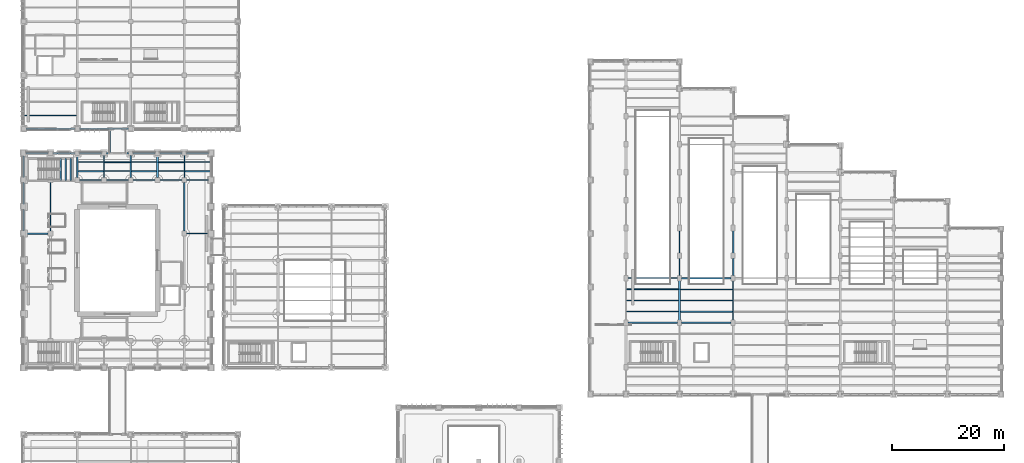
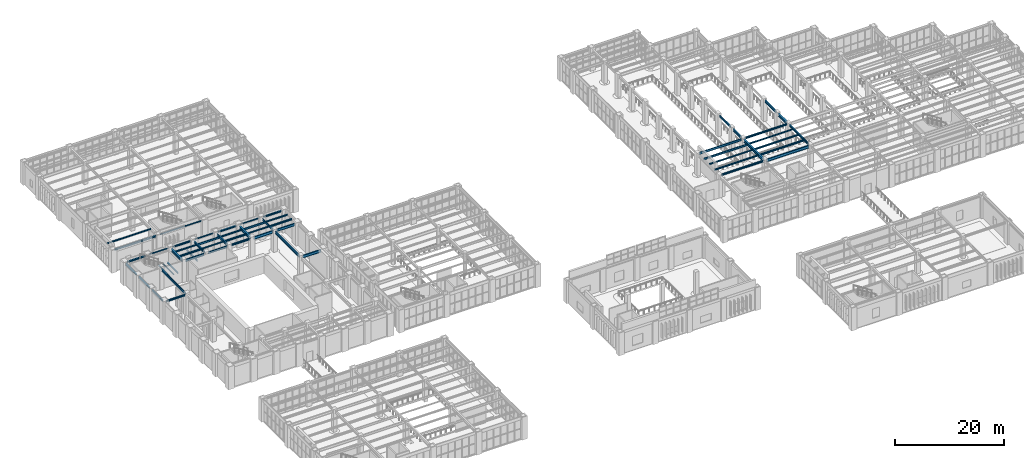
# One storey, part 62 of 174: 57 beams.
"""IFC4 building model written with IfcOpenShell, lengths in metres."""

from ifc_helpers import new_model, si_unit, direction, frame, origin, origin_2d, place, context, subcontext, project, spatial, i_section, extrude, material, material_profile, profile_set, type_object, element, save


model = new_model("IFC4")

# Units and contexts
model_context = context("Model", 3, precision=1e-05, world=origin(), true_north=direction((0.0, 1.0)))
body_context = subcontext(model_context, "Body", "Model", "MODEL_VIEW")
ifc_project = project(units=[si_unit("LENGTHUNIT", "METRE"), si_unit("AREAUNIT", "SQUARE_METRE"), si_unit("VOLUMEUNIT", "CUBIC_METRE"), si_unit("PLANEANGLEUNIT", "RADIAN"), si_unit("MASSUNIT", "GRAM", prefix="KILO")], contexts=[model_context])

# Site, building, storey
site_placement = place(None, origin())
site = spatial("IfcSite", under=ifc_project, at=site_placement, CompositionType="ELEMENT")
building_placement = place(site_placement, origin())
building = spatial("IfcBuilding", under=site, at=building_placement, Name="Mavantir Sound Aquarium", CompositionType="ELEMENT")
storey_placement = place(building_placement, frame((0.0, 0.0, 5.39990234375)))
storey = spatial("IfcBuildingStorey", under=building, at=storey_placement, Name="L01", CompositionType="ELEMENT", Elevation=5.39990234375)

# Beams
ifc_material = material(Name="Structural Steel ASTM A992 Gr50", Category="steel")
ifc_material_profile_1 = material_profile(ifc_material, i_section(OverallWidth=0.202880859375, OverallDepth=0.202880859375, WebThickness=0.007080078125, FlangeThickness=0.010986328125, FilletRadius=0.010009765625, at=origin_2d()), Name="W200X46")
ifc_profile_set_1 = profile_set([ifc_material_profile_1], Name="Structural Steel ASTM A992 Gr50")
beam_type_1 = type_object("IfcBeamType", Name="BM-W200X46-E", PredefinedType="LINTEL", material=ifc_profile_set_1)
for number, where, z_axis, x_axis, name in (
    (1, (5.22509765625, 79.199951171875, 4.594482421875), (1.0, 0.0, 0.0), (0.0, 1.0, 0.0), "L01 primary beam SL-20 1144"),
    (2, (14.824951171875, 79.199951171875, 4.594482421875), (1.0, 0.0, 0.0), (0.0, 1.0, 0.0), "L01 primary beam SL-20 1146"),
    (3, (24.425048828125, 79.199951171875, 4.594482421875), (1.0, 0.0, 0.0), (0.0, 1.0, 0.0), "L01 primary beam SL-20 1148"),
):
    element("IfcBeam", number, at=place(storey_placement, frame(where, z_axis=z_axis, x_axis=x_axis)), inside=storey, type_object=beam_type_1, Name=name, PredefinedType="LINTEL", context=body_context, shape_type="SweptSolid", body=[
        extrude(i_section(OverallWidth=0.202880859375, OverallDepth=0.202880859375, WebThickness=0.007080078125, FlangeThickness=0.010986328125, FilletRadius=0.010009765625, at=origin_2d()), origin(), (0.0, 0.0, 1.0), 3.949951171875),
    ])
beam_1_placement = place(storey_placement, frame((9.97509765625, 83.60009765625, 4.694580078125), z_axis=(1.0, 0.0, 0.0), x_axis=(0.0, 1.0, 0.0)))
element("IfcBeam", 4, at=beam_1_placement, inside=storey, type_object=beam_type_1, Name="L01 primary beam SL-20 1358", PredefinedType="LINTEL", context=body_context, shape_type="SweptSolid", body=[
    extrude(i_section(OverallWidth=0.202880859375, OverallDepth=0.202880859375, WebThickness=0.007080078125, FlangeThickness=0.010986328125, FilletRadius=0.010009765625, at=origin_2d()), origin(), (0.0, 0.0, 1.0), 8.849853515625),
])
ifc_material_profile_2 = material_profile(ifc_material, i_section(OverallWidth=0.202880859375, OverallDepth=0.202880859375, WebThickness=0.007080078125, FlangeThickness=0.010986328125, FilletRadius=0.010009765625, at=origin_2d()), Name="W200X46")
ifc_profile_set_2 = profile_set([ifc_material_profile_2], Name="Structural Steel ASTM A992 Gr50")
beam_type_2 = type_object("IfcBeamType", Name="BM-W200X46-I", PredefinedType="LINTEL", material=ifc_profile_set_2)
for number, where, z_axis, x_axis, name in (
    (5, (6.639892578125, 74.27490234375, 2.24560546875), (0.0, 1.0, 0.0), (-1.0, 0.0, 0.0), "Stair ST2 landing support beam 25"),
    (6, (7.534912109375, 74.27490234375, 2.24560546875), (0.0, 1.0, 0.0), (-1.0, 0.0, 0.0), "Stair ST2 landing support beam 26"),
    (7, (8.429931640625, 74.27490234375, 2.24560546875), (0.0, 1.0, 0.0), (-1.0, 0.0, 0.0), "Stair ST2 landing support beam 27"),
):
    element("IfcBeam", number, at=place(storey_placement, frame(where, z_axis=z_axis, x_axis=x_axis)), inside=storey, type_object=beam_type_2, Name=name, PredefinedType="LINTEL", context=body_context, shape_type="SweptSolid", body=[
        extrude(i_section(OverallWidth=0.202880859375, OverallDepth=0.202880859375, WebThickness=0.007080078125, FlangeThickness=0.010986328125, FilletRadius=0.010009765625, at=origin_2d()), origin(), (0.0, 0.0, 1.0), 4.0),
    ])
ifc_material_profile_3 = material_profile(ifc_material, i_section(OverallWidth=0.202880859375, OverallDepth=0.251953125, WebThickness=0.008056640625, FlangeThickness=0.013427734375, FilletRadius=0.011962890625, at=origin_2d()), Name="W250X58")
ifc_profile_set_3 = profile_set([ifc_material_profile_3], Name="Structural Steel ASTM A992 Gr50")
beam_type_3 = type_object("IfcBeamType", Name="BM-W250X58-I", PredefinedType="JOIST", material=ifc_profile_set_3)
beam_2_placement = place(storey_placement, frame((14.4970703125, 76.0, 4.570068359375), z_axis=(1.0, 0.0, 0.0), x_axis=(0.0, 1.0, 0.0)))
element("IfcBeam", 8, at=beam_2_placement, inside=storey, type_object=beam_type_3, Name="L01 secondary floor joist SJ-25 656", PredefinedType="JOIST", context=body_context, shape_type="SweptSolid", body=[
    extrude(i_section(OverallWidth=0.202880859375, OverallDepth=0.251953125, WebThickness=0.008056640625, FlangeThickness=0.013427734375, FilletRadius=0.011962890625, at=origin_2d()), origin(), (0.0, 0.0, 1.0), 4.596923828125),
])
beam_3_placement = place(storey_placement, frame((24.162109375, 76.0, 4.570068359375), z_axis=(1.0, 0.0, 0.0), x_axis=(0.0, 1.0, 0.0)))
element("IfcBeam", 9, at=beam_3_placement, inside=storey, type_object=beam_type_3, Name="L01 secondary floor joist SJ-25 660", PredefinedType="JOIST", context=body_context, shape_type="SweptSolid", body=[
    extrude(i_section(OverallWidth=0.202880859375, OverallDepth=0.251953125, WebThickness=0.008056640625, FlangeThickness=0.013427734375, FilletRadius=0.011962890625, at=origin_2d()), origin(), (0.0, 0.0, 1.0), 4.540771484375),
])
beam_4_placement = place(storey_placement, frame((108.10595703125, 52.800048828125, 4.68017578125), z_axis=(1.0, 0.0, 0.0), x_axis=(0.0, 1.0, 0.0)))
element("IfcBeam", 10, at=beam_4_placement, inside=storey, type_object=beam_type_3, Name="L01 secondary floor joist SJ-25 752", PredefinedType="JOIST", context=body_context, shape_type="SweptSolid", body=[
    extrude(i_section(OverallWidth=0.202880859375, OverallDepth=0.251953125, WebThickness=0.008056640625, FlangeThickness=0.013427734375, FilletRadius=0.011962890625, at=origin_2d()), origin(), (0.0, 0.0, 1.0), 9.33203125),
])
beam_5_placement = place(storey_placement, frame((117.761962890625, 54.800048828125, 4.68017578125), z_axis=(1.0, 0.0, 0.0), x_axis=(0.0, 1.0, 0.0)))
element("IfcBeam", 11, at=beam_5_placement, inside=storey, type_object=beam_type_3, Name="L01 secondary floor joist SJ-25 756", PredefinedType="JOIST", context=body_context, shape_type="SweptSolid", body=[
    extrude(i_section(OverallWidth=0.202880859375, OverallDepth=0.251953125, WebThickness=0.008056640625, FlangeThickness=0.013427734375, FilletRadius=0.011962890625, at=origin_2d()), origin(), (0.0, 0.0, 1.0), 9.341064453125),
])
beam_6_placement = place(storey_placement, frame((0.152587890625, 86.0, 4.670166015625), z_axis=(1.0, 0.0, 0.0), x_axis=(0.0, 1.0, 0.0)))
element("IfcBeam", 12, at=beam_6_placement, inside=storey, type_object=beam_type_3, Name="L01 secondary floor joist SJ-25 796", PredefinedType="JOIST", context=body_context, shape_type="SweptSolid", body=[
    extrude(i_section(OverallWidth=0.202880859375, OverallDepth=0.251953125, WebThickness=0.008056640625, FlangeThickness=0.013427734375, FilletRadius=0.011962890625, at=origin_2d()), origin(), (0.0, 0.0, 1.0), 9.285400390625),
])
ifc_material_profile_4 = material_profile(ifc_material, i_section(OverallWidth=0.205078125, OverallDepth=0.31005859375, WebThickness=0.009521484375, FlangeThickness=0.016357421875, FilletRadius=0.012939453125, at=origin_2d()), Name="W310X74")
ifc_profile_set_4 = profile_set([ifc_material_profile_4], Name="Structural Steel ASTM A992 Gr50")
beam_type_4 = type_object("IfcBeamType", Name="BM-W310X74-I", PredefinedType="JOIST", material=ifc_profile_set_4)
beam_7_placement = place(storey_placement, frame((9.761962890625, 77.60009765625, 4.541015625), z_axis=(1.0, 0.0, 0.0), x_axis=(0.0, 1.0, 0.0)))
element("IfcBeam", 13, at=beam_7_placement, inside=storey, type_object=beam_type_4, Name="L01 secondary floor joist SJ-31 655", PredefinedType="JOIST", context=body_context, shape_type="SweptSolid", body=[
    extrude(i_section(OverallWidth=0.205078125, OverallDepth=0.31005859375, WebThickness=0.009521484375, FlangeThickness=0.016357421875, FilletRadius=0.012939453125, at=origin_2d()), origin(), (0.0, 0.0, 1.0), 4.541015625),
])
beam_8_placement = place(storey_placement, frame((19.305908203125, 77.60009765625, 4.541015625), z_axis=(1.0, 0.0, 0.0), x_axis=(0.0, 1.0, 0.0)))
element("IfcBeam", 14, at=beam_8_placement, inside=storey, type_object=beam_type_4, Name="L01 secondary floor joist SJ-31 659", PredefinedType="JOIST", context=body_context, shape_type="SweptSolid", body=[
    extrude(i_section(OverallWidth=0.205078125, OverallDepth=0.31005859375, WebThickness=0.009521484375, FlangeThickness=0.016357421875, FilletRadius=0.012939453125, at=origin_2d()), origin(), (0.0, 0.0, 1.0), 4.531982421875),
])
beam_9_placement = place(storey_placement, frame((28.89697265625, 77.60009765625, 4.541015625), z_axis=(1.0, 0.0, 0.0), x_axis=(0.0, 1.0, 0.0)))
element("IfcBeam", 15, at=beam_9_placement, inside=storey, type_object=beam_type_4, Name="L01 secondary floor joist SJ-31 663", PredefinedType="JOIST", context=body_context, shape_type="SweptSolid", body=[
    extrude(i_section(OverallWidth=0.205078125, OverallDepth=0.31005859375, WebThickness=0.009521484375, FlangeThickness=0.016357421875, FilletRadius=0.012939453125, at=origin_2d()), origin(), (0.0, 0.0, 1.0), 4.550537109375),
])
beam_10_placement = place(storey_placement, frame((108.10595703125, 50.800048828125, 4.651123046875), z_axis=(1.0, 0.0, 0.0), x_axis=(0.0, 1.0, 0.0)))
element("IfcBeam", 16, at=beam_10_placement, inside=storey, type_object=beam_type_4, Name="L01 secondary floor joist SJ-31 751", PredefinedType="JOIST", context=body_context, shape_type="SweptSolid", body=[
    extrude(i_section(OverallWidth=0.205078125, OverallDepth=0.31005859375, WebThickness=0.009521484375, FlangeThickness=0.016357421875, FilletRadius=0.012939453125, at=origin_2d()), origin(), (0.0, 0.0, 1.0), 9.33203125),
])
beam_11_placement = place(storey_placement, frame((117.761962890625, 52.800048828125, 4.651123046875), z_axis=(1.0, 0.0, 0.0), x_axis=(0.0, 1.0, 0.0)))
element("IfcBeam", 17, at=beam_11_placement, inside=storey, type_object=beam_type_4, Name="L01 secondary floor joist SJ-31 755", PredefinedType="JOIST", context=body_context, shape_type="SweptSolid", body=[
    extrude(i_section(OverallWidth=0.205078125, OverallDepth=0.31005859375, WebThickness=0.009521484375, FlangeThickness=0.016357421875, FilletRadius=0.012939453125, at=origin_2d()), origin(), (0.0, 0.0, 1.0), 9.341064453125),
])
ifc_material_profile_5 = material_profile(ifc_material, i_section(OverallWidth=0.304931640625, OverallDepth=0.30810546875, WebThickness=0.010009765625, FlangeThickness=0.015380859375, FilletRadius=0.014892578125, at=origin_2d()), Name="W310X97")
ifc_profile_set_5 = profile_set([ifc_material_profile_5], Name="Structural Steel ASTM A992 Gr50")
beam_type_5 = type_object("IfcBeamType", Name="BM-W310X97-E", PredefinedType="SPANDREL", material=ifc_profile_set_5)
beam_12_placement = place(storey_placement, frame((0.449951171875, 79.199951171875, 4.5419921875), z_axis=(1.0, 0.0, 0.0), x_axis=(0.0, 1.0, 0.0)))
element("IfcBeam", 18, at=beam_12_placement, inside=storey, type_object=beam_type_5, Name="L01 primary beam SS-31A 1143", PredefinedType="SPANDREL", context=body_context, shape_type="SweptSolid", body=[
    extrude(i_section(OverallWidth=0.304931640625, OverallDepth=0.30810546875, WebThickness=0.010009765625, FlangeThickness=0.015380859375, FilletRadius=0.014892578125, at=origin_2d()), origin(), (0.0, 0.0, 1.0), 3.925048828125),
])
beam_13_placement = place(storey_placement, frame((10.02490234375, 79.199951171875, 4.5419921875), z_axis=(1.0, 0.0, 0.0), x_axis=(0.0, 1.0, 0.0)))
element("IfcBeam", 19, at=beam_13_placement, inside=storey, type_object=beam_type_5, Name="L01 primary beam SS-31A 1145", PredefinedType="SPANDREL", context=body_context, shape_type="SweptSolid", body=[
    extrude(i_section(OverallWidth=0.304931640625, OverallDepth=0.30810546875, WebThickness=0.010009765625, FlangeThickness=0.015380859375, FilletRadius=0.014892578125, at=origin_2d()), origin(), (0.0, 0.0, 1.0), 3.9501953125),
])
beam_14_placement = place(storey_placement, frame((19.625, 79.199951171875, 4.5419921875), z_axis=(1.0, 0.0, 0.0), x_axis=(0.0, 1.0, 0.0)))
element("IfcBeam", 20, at=beam_14_placement, inside=storey, type_object=beam_type_5, Name="L01 primary beam SS-31A 1147", PredefinedType="SPANDREL", context=body_context, shape_type="SweptSolid", body=[
    extrude(i_section(OverallWidth=0.304931640625, OverallDepth=0.30810546875, WebThickness=0.010009765625, FlangeThickness=0.015380859375, FilletRadius=0.014892578125, at=origin_2d()), origin(), (0.0, 0.0, 1.0), 3.949951171875),
])
beam_15_placement = place(storey_placement, frame((29.22509765625, 79.199951171875, 4.5419921875), z_axis=(1.0, 0.0, 0.0), x_axis=(0.0, 1.0, 0.0)))
element("IfcBeam", 21, at=beam_15_placement, inside=storey, type_object=beam_type_5, Name="L01 primary beam SS-31A 1149", PredefinedType="SPANDREL", context=body_context, shape_type="SweptSolid", body=[
    extrude(i_section(OverallWidth=0.304931640625, OverallDepth=0.30810546875, WebThickness=0.010009765625, FlangeThickness=0.015380859375, FilletRadius=0.014892578125, at=origin_2d()), origin(), (0.0, 0.0, 1.0), 3.9248046875),
])
for number, where, z_axis, x_axis, name in (
    (22, (0.0, 65.25, 4.5419921875), (0.0, 1.0, 0.0), (-1.0, 0.0, 0.0), "L01 primary girder SS-31A 1155"),
    (23, (0.0, 70.050048828125, 4.5419921875), (0.0, 1.0, 0.0), (-1.0, 0.0, 0.0), "L01 primary girder SS-31A 1156"),
    (24, (0.0, 74.85009765625, 4.5419921875), (0.0, 1.0, 0.0), (-1.0, 0.0, 0.0), "L01 primary girder SS-31A 1157"),
):
    element("IfcBeam", number, at=place(storey_placement, frame(where, z_axis=z_axis, x_axis=x_axis)), inside=storey, type_object=beam_type_5, Name=name, PredefinedType="SPANDREL", context=body_context, shape_type="SweptSolid", body=[
        extrude(i_section(OverallWidth=0.304931640625, OverallDepth=0.30810546875, WebThickness=0.010009765625, FlangeThickness=0.015380859375, FilletRadius=0.014892578125, at=origin_2d()), origin(), (0.0, 0.0, 1.0), 3.89990234375),
    ])
beam_16_placement = place(storey_placement, frame((0.375, 83.60009765625, 4.64208984375), z_axis=(1.0, 0.0, 0.0), x_axis=(0.0, 1.0, 0.0)))
element("IfcBeam", 25, at=beam_16_placement, inside=storey, type_object=beam_type_5, Name="L01 primary beam SS-31A 1357", PredefinedType="SPANDREL", context=body_context, shape_type="SweptSolid", body=[
    extrude(i_section(OverallWidth=0.304931640625, OverallDepth=0.30810546875, WebThickness=0.010009765625, FlangeThickness=0.015380859375, FilletRadius=0.014892578125, at=origin_2d()), origin(), (0.0, 0.0, 1.0), 8.85009765625),
])
ifc_material_profile_6 = material_profile(ifc_material, i_section(OverallWidth=0.257080078125, OverallDepth=0.363037109375, WebThickness=0.012939453125, FlangeThickness=0.021728515625, FilletRadius=0.014892578125, at=origin_2d()), Name="W360X122")
ifc_profile_set_6 = profile_set([ifc_material_profile_6], Name="Structural Steel ASTM A992 Gr50")
beam_type_6 = type_object("IfcBeamType", Name="BM-W360X122-I", PredefinedType="BEAM", material=ifc_profile_set_6)
beam_17_placement = place(storey_placement, frame((0.449951171875, 64.800048828125, 4.5146484375), z_axis=(1.0, 0.0, 0.0), x_axis=(0.0, 1.0, 0.0)))
element("IfcBeam", 26, at=beam_17_placement, inside=storey, type_object=beam_type_6, Name="L01 primary beam SB-36A 1136", PredefinedType="BEAM", context=body_context, shape_type="SweptSolid", body=[
    extrude(i_section(OverallWidth=0.257080078125, OverallDepth=0.363037109375, WebThickness=0.012939453125, FlangeThickness=0.021728515625, FilletRadius=0.014892578125, at=origin_2d()), origin(), (0.0, 0.0, 1.0), 3.925048828125),
])
beam_18_placement = place(storey_placement, frame((19.625, 74.39990234375, 4.5146484375), z_axis=(1.0, 0.0, 0.0), x_axis=(0.0, 1.0, 0.0)))
element("IfcBeam", 27, at=beam_18_placement, inside=storey, type_object=beam_type_6, Name="L01 primary beam SB-36A 1140", PredefinedType="BEAM", context=body_context, shape_type="SweptSolid", body=[
    extrude(i_section(OverallWidth=0.257080078125, OverallDepth=0.363037109375, WebThickness=0.012939453125, FlangeThickness=0.021728515625, FilletRadius=0.014892578125, at=origin_2d()), origin(), (0.0, 0.0, 1.0), 3.949951171875),
])
beam_19_placement = place(storey_placement, frame((108.35009765625, 48.800048828125, 4.62451171875), z_axis=(1.0, 0.0, 0.0), x_axis=(0.0, 1.0, 0.0)))
element("IfcBeam", 28, at=beam_19_placement, inside=storey, type_object=beam_type_6, Name="L01 primary beam SB-36A 1252", PredefinedType="BEAM", context=body_context, shape_type="SweptSolid", body=[
    extrude(i_section(OverallWidth=0.257080078125, OverallDepth=0.363037109375, WebThickness=0.012939453125, FlangeThickness=0.021728515625, FilletRadius=0.014892578125, at=origin_2d()), origin(), (0.0, 0.0, 1.0), 8.89990234375),
])
beam_20_placement = place(storey_placement, frame((117.949951171875, 56.800048828125, 4.62451171875), z_axis=(1.0, 0.0, 0.0), x_axis=(0.0, 1.0, 0.0)))
element("IfcBeam", 29, at=beam_20_placement, inside=storey, type_object=beam_type_6, Name="L01 primary beam SB-36A 1260", PredefinedType="BEAM", context=body_context, shape_type="SweptSolid", body=[
    extrude(i_section(OverallWidth=0.257080078125, OverallDepth=0.363037109375, WebThickness=0.012939453125, FlangeThickness=0.021728515625, FilletRadius=0.014892578125, at=origin_2d()), origin(), (0.0, 0.0, 1.0), 8.900146484375),
])
ifc_material_profile_7 = material_profile(ifc_material, i_section(OverallWidth=0.25390625, OverallDepth=0.35302734375, WebThickness=0.009521484375, FlangeThickness=0.016357421875, FilletRadius=0.014892578125, at=origin_2d()), Name="W360X91")
ifc_profile_set_7 = profile_set([ifc_material_profile_7], Name="Structural Steel ASTM A992 Gr50")
beam_type_7 = type_object("IfcBeamType", Name="BM-W360X91-I", PredefinedType="JOIST", material=ifc_profile_set_7)
beam_21_placement = place(storey_placement, frame((9.761962890625, 76.0, 4.51953125), z_axis=(1.0, 0.0, 0.0), x_axis=(0.0, 1.0, 0.0)))
element("IfcBeam", 30, at=beam_21_placement, inside=storey, type_object=beam_type_7, Name="L01 secondary floor joist SJ-36 654", PredefinedType="JOIST", context=body_context, shape_type="SweptSolid", body=[
    extrude(i_section(OverallWidth=0.25390625, OverallDepth=0.35302734375, WebThickness=0.009521484375, FlangeThickness=0.016357421875, FilletRadius=0.014892578125, at=origin_2d()), origin(), (0.0, 0.0, 1.0), 4.541015625),
])
beam_22_placement = place(storey_placement, frame((19.305908203125, 76.0, 4.51953125), z_axis=(1.0, 0.0, 0.0), x_axis=(0.0, 1.0, 0.0)))
element("IfcBeam", 31, at=beam_22_placement, inside=storey, type_object=beam_type_7, Name="L01 secondary floor joist SJ-36 658", PredefinedType="JOIST", context=body_context, shape_type="SweptSolid", body=[
    extrude(i_section(OverallWidth=0.25390625, OverallDepth=0.35302734375, WebThickness=0.009521484375, FlangeThickness=0.016357421875, FilletRadius=0.014892578125, at=origin_2d()), origin(), (0.0, 0.0, 1.0), 4.531982421875),
])
beam_23_placement = place(storey_placement, frame((28.89697265625, 76.0, 4.51953125), z_axis=(1.0, 0.0, 0.0), x_axis=(0.0, 1.0, 0.0)))
element("IfcBeam", 32, at=beam_23_placement, inside=storey, type_object=beam_type_7, Name="L01 secondary floor joist SJ-36 662", PredefinedType="JOIST", context=body_context, shape_type="SweptSolid", body=[
    extrude(i_section(OverallWidth=0.25390625, OverallDepth=0.35302734375, WebThickness=0.009521484375, FlangeThickness=0.016357421875, FilletRadius=0.014892578125, at=origin_2d()), origin(), (0.0, 0.0, 1.0), 4.550537109375),
])
beam_24_placement = place(storey_placement, frame((117.761962890625, 50.800048828125, 4.629638671875), z_axis=(1.0, 0.0, 0.0), x_axis=(0.0, 1.0, 0.0)))
element("IfcBeam", 33, at=beam_24_placement, inside=storey, type_object=beam_type_7, Name="L01 secondary floor joist SJ-36 754", PredefinedType="JOIST", context=body_context, shape_type="SweptSolid", body=[
    extrude(i_section(OverallWidth=0.25390625, OverallDepth=0.35302734375, WebThickness=0.009521484375, FlangeThickness=0.016357421875, FilletRadius=0.014892578125, at=origin_2d()), origin(), (0.0, 0.0, 1.0), 9.341064453125),
])
ifc_material_profile_8 = material_profile(ifc_material, i_section(OverallWidth=0.180908203125, OverallDepth=0.4169921875, WebThickness=0.010986328125, FlangeThickness=0.018310546875, FilletRadius=0.014892578125, at=origin_2d()), Name="W410X85")
ifc_profile_set_8 = profile_set([ifc_material_profile_8], Name="Structural Steel ASTM A992 Gr50")
beam_type_8 = type_object("IfcBeamType", Name="BM-W410X85-I", PredefinedType="JOIST", material=ifc_profile_set_8)
beam_25_placement = place(storey_placement, frame((14.4970703125, 77.60009765625, 4.487548828125), z_axis=(1.0, 0.0, 0.0), x_axis=(0.0, 1.0, 0.0)))
element("IfcBeam", 34, at=beam_25_placement, inside=storey, type_object=beam_type_8, Name="L01 secondary floor joist SJ-41 657", PredefinedType="JOIST", context=body_context, shape_type="SweptSolid", body=[
    extrude(i_section(OverallWidth=0.180908203125, OverallDepth=0.4169921875, WebThickness=0.010986328125, FlangeThickness=0.018310546875, FilletRadius=0.014892578125, at=origin_2d()), origin(), (0.0, 0.0, 1.0), 4.596923828125),
])
beam_26_placement = place(storey_placement, frame((24.162109375, 77.60009765625, 4.487548828125), z_axis=(1.0, 0.0, 0.0), x_axis=(0.0, 1.0, 0.0)))
element("IfcBeam", 35, at=beam_26_placement, inside=storey, type_object=beam_type_8, Name="L01 secondary floor joist SJ-41 661", PredefinedType="JOIST", context=body_context, shape_type="SweptSolid", body=[
    extrude(i_section(OverallWidth=0.180908203125, OverallDepth=0.4169921875, WebThickness=0.010986328125, FlangeThickness=0.018310546875, FilletRadius=0.014892578125, at=origin_2d()), origin(), (0.0, 0.0, 1.0), 4.540771484375),
])
beam_27_placement = place(storey_placement, frame((108.10595703125, 54.800048828125, 4.59765625), z_axis=(1.0, 0.0, 0.0), x_axis=(0.0, 1.0, 0.0)))
element("IfcBeam", 36, at=beam_27_placement, inside=storey, type_object=beam_type_8, Name="L01 secondary floor joist SJ-41 753", PredefinedType="JOIST", context=body_context, shape_type="SweptSolid", body=[
    extrude(i_section(OverallWidth=0.180908203125, OverallDepth=0.4169921875, WebThickness=0.010986328125, FlangeThickness=0.018310546875, FilletRadius=0.014892578125, at=origin_2d()), origin(), (0.0, 0.0, 1.0), 9.33203125),
])
ifc_material_profile_9 = material_profile(ifc_material, i_section(OverallWidth=0.194091796875, OverallDepth=0.468994140625, WebThickness=0.0126953125, FlangeThickness=0.0205078125, FilletRadius=0.01611328125, at=origin_2d()), Name="W460X106")
ifc_profile_set_9 = profile_set([ifc_material_profile_9], Name="Structural Steel ASTM A992 Gr50")
beam_type_9 = type_object("IfcBeamType", Name="BM-W460X106-E", PredefinedType="BEAM", material=ifc_profile_set_9)
beam_28_placement = place(storey_placement, frame((15.449951171875, 79.35009765625, -0.514404296875), z_axis=(0.0, 1.0, 0.0), x_axis=(-1.0, 0.0, 0.0)))
element("IfcBeam", 37, at=beam_28_placement, inside=storey, type_object=beam_type_9, Name="Slide-bearing link bridge girder 3.1", PredefinedType="BEAM", context=body_context, shape_type="SweptSolid", body=[
    extrude(i_section(OverallWidth=0.194091796875, OverallDepth=0.468994140625, WebThickness=0.0126953125, FlangeThickness=0.0205078125, FilletRadius=0.01611328125, at=origin_2d()), origin(), (0.0, 0.0, 1.0), 4.099853515625),
])
ifc_material_profile_10 = material_profile(ifc_material, i_section(OverallWidth=0.194091796875, OverallDepth=0.468994140625, WebThickness=0.0126953125, FlangeThickness=0.0205078125, FilletRadius=0.01611328125, at=origin_2d()), Name="W460X106")
ifc_profile_set_10 = profile_set([ifc_material_profile_10], Name="Structural Steel ASTM A992 Gr50")
beam_type_10 = type_object("IfcBeamType", Name="BM-W460X106-I", PredefinedType="BEAM", material=ifc_profile_set_10)
for number, where, z_axis, x_axis, name in (
    (38, (14.824951171875, 74.39990234375, 4.461669921875), (1.0, 0.0, 0.0), (0.0, 1.0, 0.0), "L01 primary beam SB-46 1139"),
    (39, (14.39990234375, 74.824951171875, 4.461669921875), (0.0, 1.0, 0.0), (-1.0, 0.0, 0.0), "L01 primary girder SB-46 1164"),
    (40, (28.800048828125, 74.824951171875, 4.461669921875), (0.0, 1.0, 0.0), (-1.0, 0.0, 0.0), "L01 primary girder SB-46 1173"),
):
    element("IfcBeam", number, at=place(storey_placement, frame(where, z_axis=z_axis, x_axis=x_axis)), inside=storey, type_object=beam_type_10, Name=name, PredefinedType="BEAM", context=body_context, shape_type="SweptSolid", body=[
        extrude(i_section(OverallWidth=0.194091796875, OverallDepth=0.468994140625, WebThickness=0.0126953125, FlangeThickness=0.0205078125, FilletRadius=0.01611328125, at=origin_2d()), origin(), (0.0, 0.0, 1.0), 3.949951171875),
    ])
beam_29_placement = place(storey_placement, frame((108.35009765625, 56.800048828125, 4.571533203125), z_axis=(1.0, 0.0, 0.0), x_axis=(0.0, 1.0, 0.0)))
element("IfcBeam", 41, at=beam_29_placement, inside=storey, type_object=beam_type_10, Name="L01 primary beam SB-46 1259", PredefinedType="BEAM", context=body_context, shape_type="SweptSolid", body=[
    extrude(i_section(OverallWidth=0.194091796875, OverallDepth=0.468994140625, WebThickness=0.0126953125, FlangeThickness=0.0205078125, FilletRadius=0.01611328125, at=origin_2d()), origin(), (0.0, 0.0, 1.0), 8.89990234375),
])
beam_30_placement = place(storey_placement, frame((117.60009765625, 61.25, 4.571533203125), z_axis=(0.0, 1.0, 0.0), x_axis=(-1.0, 0.0, 0.0)))
element("IfcBeam", 42, at=beam_30_placement, inside=storey, type_object=beam_type_10, Name="L01 primary girder SB-46 1305", PredefinedType="BEAM", context=body_context, shape_type="SweptSolid", body=[
    extrude(i_section(OverallWidth=0.194091796875, OverallDepth=0.468994140625, WebThickness=0.0126953125, FlangeThickness=0.0205078125, FilletRadius=0.01611328125, at=origin_2d()), origin(), (0.0, 0.0, 1.0), 4.10009765625),
])
beam_31_placement = place(storey_placement, frame((127.199951171875, 49.25, 4.571533203125), z_axis=(0.0, 1.0, 0.0), x_axis=(-1.0, 0.0, 0.0)))
element("IfcBeam", 43, at=beam_31_placement, inside=storey, type_object=beam_type_10, Name="L01 primary girder SB-46 1314", PredefinedType="BEAM", context=body_context, shape_type="SweptSolid", body=[
    extrude(i_section(OverallWidth=0.194091796875, OverallDepth=0.468994140625, WebThickness=0.0126953125, FlangeThickness=0.0205078125, FilletRadius=0.01611328125, at=origin_2d()), origin(), (0.0, 0.0, 1.0), 7.10009765625),
])
ifc_material_profile_11 = material_profile(ifc_material, i_section(OverallWidth=0.2119140625, OverallDepth=0.5439453125, WebThickness=0.01318359375, FlangeThickness=0.021240234375, FilletRadius=0.01806640625, at=origin_2d()), Name="W530X123")
ifc_profile_set_11 = profile_set([ifc_material_profile_11], Name="Structural Steel ASTM A992 Gr50")
beam_type_11 = type_object("IfcBeamType", Name="BM-W530X123-I", PredefinedType="BEAM", material=ifc_profile_set_11)
beam_32_placement = place(storey_placement, frame((10.02490234375, 74.39990234375, 4.424072265625), z_axis=(1.0, 0.0, 0.0), x_axis=(0.0, 1.0, 0.0)))
element("IfcBeam", 44, at=beam_32_placement, inside=storey, type_object=beam_type_11, Name="L01 primary beam SB-53 1138", PredefinedType="BEAM", context=body_context, shape_type="SweptSolid", body=[
    extrude(i_section(OverallWidth=0.2119140625, OverallDepth=0.5439453125, WebThickness=0.01318359375, FlangeThickness=0.021240234375, FilletRadius=0.01806640625, at=origin_2d()), origin(), (0.0, 0.0, 1.0), 3.9501953125),
])
beam_33_placement = place(storey_placement, frame((29.22509765625, 74.39990234375, 4.424072265625), z_axis=(1.0, 0.0, 0.0), x_axis=(0.0, 1.0, 0.0)))
element("IfcBeam", 45, at=beam_33_placement, inside=storey, type_object=beam_type_11, Name="L01 primary beam SB-53 1142", PredefinedType="BEAM", context=body_context, shape_type="SweptSolid", body=[
    extrude(i_section(OverallWidth=0.2119140625, OverallDepth=0.5439453125, WebThickness=0.01318359375, FlangeThickness=0.021240234375, FilletRadius=0.01806640625, at=origin_2d()), origin(), (0.0, 0.0, 1.0), 3.9248046875),
])
beam_34_placement = place(storey_placement, frame((4.800048828125, 65.22509765625, 4.424072265625), z_axis=(0.0, 1.0, 0.0), x_axis=(-1.0, 0.0, 0.0)))
element("IfcBeam", 46, at=beam_34_placement, inside=storey, type_object=beam_type_11, Name="L01 primary girder SB-53 1160", PredefinedType="BEAM", context=body_context, shape_type="SweptSolid", body=[
    extrude(i_section(OverallWidth=0.2119140625, OverallDepth=0.5439453125, WebThickness=0.01318359375, FlangeThickness=0.021240234375, FilletRadius=0.01806640625, at=origin_2d()), origin(), (0.0, 0.0, 1.0), 8.75),
])
beam_35_placement = place(storey_placement, frame((19.199951171875, 74.824951171875, 4.424072265625), z_axis=(0.0, 1.0, 0.0), x_axis=(-1.0, 0.0, 0.0)))
element("IfcBeam", 47, at=beam_35_placement, inside=storey, type_object=beam_type_11, Name="L01 primary girder SB-53 1166", PredefinedType="BEAM", context=body_context, shape_type="SweptSolid", body=[
    extrude(i_section(OverallWidth=0.2119140625, OverallDepth=0.5439453125, WebThickness=0.01318359375, FlangeThickness=0.021240234375, FilletRadius=0.01806640625, at=origin_2d()), origin(), (0.0, 0.0, 1.0), 3.949951171875),
])
beam_36_placement = place(storey_placement, frame((28.800048828125, 65.22509765625, 4.424072265625), z_axis=(0.0, 1.0, 0.0), x_axis=(-1.0, 0.0, 0.0)))
element("IfcBeam", 48, at=beam_36_placement, inside=storey, type_object=beam_type_11, Name="L01 primary girder SB-53 1172", PredefinedType="BEAM", context=body_context, shape_type="SweptSolid", body=[
    extrude(i_section(OverallWidth=0.2119140625, OverallDepth=0.5439453125, WebThickness=0.01318359375, FlangeThickness=0.021240234375, FilletRadius=0.01806640625, at=origin_2d()), origin(), (0.0, 0.0, 1.0), 8.75),
])
beam_37_placement = place(storey_placement, frame((117.60009765625, 57.25, 4.5341796875), z_axis=(0.0, 1.0, 0.0), x_axis=(-1.0, 0.0, 0.0)))
element("IfcBeam", 49, at=beam_37_placement, inside=storey, type_object=beam_type_11, Name="L01 primary girder SB-53 1304", PredefinedType="BEAM", context=body_context, shape_type="SweptSolid", body=[
    extrude(i_section(OverallWidth=0.2119140625, OverallDepth=0.5439453125, WebThickness=0.01318359375, FlangeThickness=0.021240234375, FilletRadius=0.01806640625, at=origin_2d()), origin(), (0.0, 0.0, 1.0), 3.10009765625),
])
beam_38_placement = place(storey_placement, frame((127.199951171875, 61.25, 4.5341796875), z_axis=(0.0, 1.0, 0.0), x_axis=(-1.0, 0.0, 0.0)))
element("IfcBeam", 50, at=beam_38_placement, inside=storey, type_object=beam_type_11, Name="L01 primary girder SB-53 1316", PredefinedType="BEAM", context=body_context, shape_type="SweptSolid", body=[
    extrude(i_section(OverallWidth=0.2119140625, OverallDepth=0.5439453125, WebThickness=0.01318359375, FlangeThickness=0.021240234375, FilletRadius=0.01806640625, at=origin_2d()), origin(), (0.0, 0.0, 1.0), 4.10009765625),
])
ifc_material_profile_12 = material_profile(ifc_material, i_section(OverallWidth=0.22900390625, OverallDepth=0.612060546875, WebThickness=0.011962890625, FlangeThickness=0.01953125, FilletRadius=0.01904296875, at=origin_2d()), Name="W610X125")
ifc_profile_set_12 = profile_set([ifc_material_profile_12], Name="Structural Steel ASTM A992 Gr50")
beam_type_12 = type_object("IfcBeamType", Name="BM-W610X125-I", PredefinedType="BEAM", material=ifc_profile_set_12)
beam_39_placement = place(storey_placement, frame((29.22509765625, 64.800048828125, 4.39013671875), z_axis=(1.0, 0.0, 0.0), x_axis=(0.0, 1.0, 0.0)))
element("IfcBeam", 51, at=beam_39_placement, inside=storey, type_object=beam_type_12, Name="L01 primary beam SB-61B 1137", PredefinedType="BEAM", context=body_context, shape_type="SweptSolid", body=[
    extrude(i_section(OverallWidth=0.22900390625, OverallDepth=0.612060546875, WebThickness=0.011962890625, FlangeThickness=0.01953125, FilletRadius=0.01904296875, at=origin_2d()), origin(), (0.0, 0.0, 1.0), 3.9248046875),
])
beam_40_placement = place(storey_placement, frame((24.425048828125, 74.39990234375, 4.39013671875), z_axis=(1.0, 0.0, 0.0), x_axis=(0.0, 1.0, 0.0)))
element("IfcBeam", 52, at=beam_40_placement, inside=storey, type_object=beam_type_12, Name="L01 primary beam SB-61B 1141", PredefinedType="BEAM", context=body_context, shape_type="SweptSolid", body=[
    extrude(i_section(OverallWidth=0.22900390625, OverallDepth=0.612060546875, WebThickness=0.011962890625, FlangeThickness=0.01953125, FilletRadius=0.01904296875, at=origin_2d()), origin(), (0.0, 0.0, 1.0), 3.949951171875),
])
beam_41_placement = place(storey_placement, frame((117.949951171875, 48.800048828125, 4.5), z_axis=(1.0, 0.0, 0.0), x_axis=(0.0, 1.0, 0.0)))
element("IfcBeam", 53, at=beam_41_placement, inside=storey, type_object=beam_type_12, Name="L01 primary beam SB-61B 1253", PredefinedType="BEAM", context=body_context, shape_type="SweptSolid", body=[
    extrude(i_section(OverallWidth=0.22900390625, OverallDepth=0.612060546875, WebThickness=0.011962890625, FlangeThickness=0.01953125, FilletRadius=0.01904296875, at=origin_2d()), origin(), (0.0, 0.0, 1.0), 8.900146484375),
])
ifc_material_profile_13 = material_profile(ifc_material, i_section(OverallWidth=0.323974609375, OverallDepth=0.611083984375, WebThickness=0.0126953125, FlangeThickness=0.01904296875, FilletRadius=0.01904296875, at=origin_2d()), Name="W610X155")
ifc_profile_set_13 = profile_set([ifc_material_profile_13], Name="Structural Steel ASTM A992 Gr50")
beam_type_13 = type_object("IfcBeamType", Name="BM-W610X155-I", PredefinedType="BEAM", material=ifc_profile_set_13)
for number, where, z_axis, x_axis, name in (
    (54, (9.60009765625, 74.824951171875, 4.390625), (0.0, 1.0, 0.0), (-1.0, 0.0, 0.0), "L01 primary girder SB-61A 1162"),
    (55, (24.0, 74.824951171875, 4.390625), (0.0, 1.0, 0.0), (-1.0, 0.0, 0.0), "L01 primary girder SB-61A 1168"),
):
    element("IfcBeam", number, at=place(storey_placement, frame(where, z_axis=z_axis, x_axis=x_axis)), inside=storey, type_object=beam_type_13, Name=name, PredefinedType="BEAM", context=body_context, shape_type="SweptSolid", body=[
        extrude(i_section(OverallWidth=0.323974609375, OverallDepth=0.611083984375, WebThickness=0.0126953125, FlangeThickness=0.01904296875, FilletRadius=0.01904296875, at=origin_2d()), origin(), (0.0, 0.0, 1.0), 3.949951171875),
    ])
beam_42_placement = place(storey_placement, frame((117.60009765625, 49.25, 4.50048828125), z_axis=(0.0, 1.0, 0.0), x_axis=(-1.0, 0.0, 0.0)))
element("IfcBeam", 56, at=beam_42_placement, inside=storey, type_object=beam_type_13, Name="L01 primary girder SB-61A 1303", PredefinedType="BEAM", context=body_context, shape_type="SweptSolid", body=[
    extrude(i_section(OverallWidth=0.323974609375, OverallDepth=0.611083984375, WebThickness=0.0126953125, FlangeThickness=0.01904296875, FilletRadius=0.01904296875, at=origin_2d()), origin(), (0.0, 0.0, 1.0), 7.10009765625),
])
beam_43_placement = place(storey_placement, frame((127.199951171875, 57.25, 4.50048828125), z_axis=(0.0, 1.0, 0.0), x_axis=(-1.0, 0.0, 0.0)))
element("IfcBeam", 57, at=beam_43_placement, inside=storey, type_object=beam_type_13, Name="L01 primary girder SB-61A 1315", PredefinedType="BEAM", context=body_context, shape_type="SweptSolid", body=[
    extrude(i_section(OverallWidth=0.323974609375, OverallDepth=0.611083984375, WebThickness=0.0126953125, FlangeThickness=0.01904296875, FilletRadius=0.01904296875, at=origin_2d()), origin(), (0.0, 0.0, 1.0), 3.10009765625),
])

save(model, "model.ifc")
